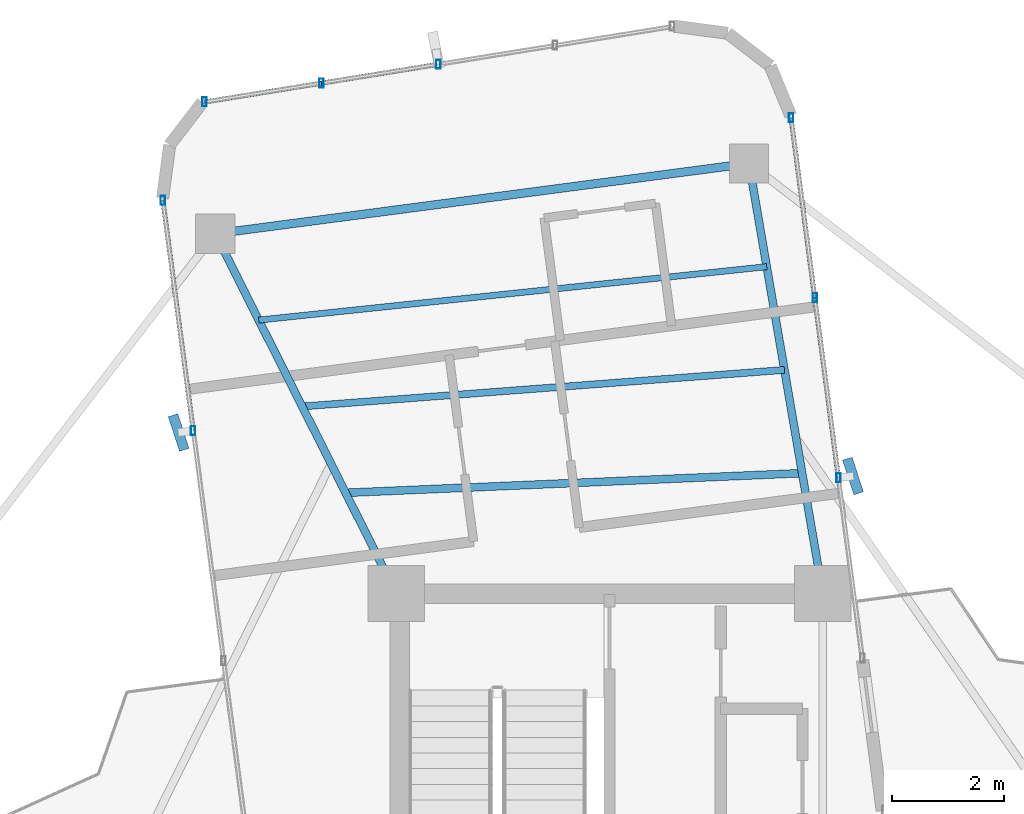
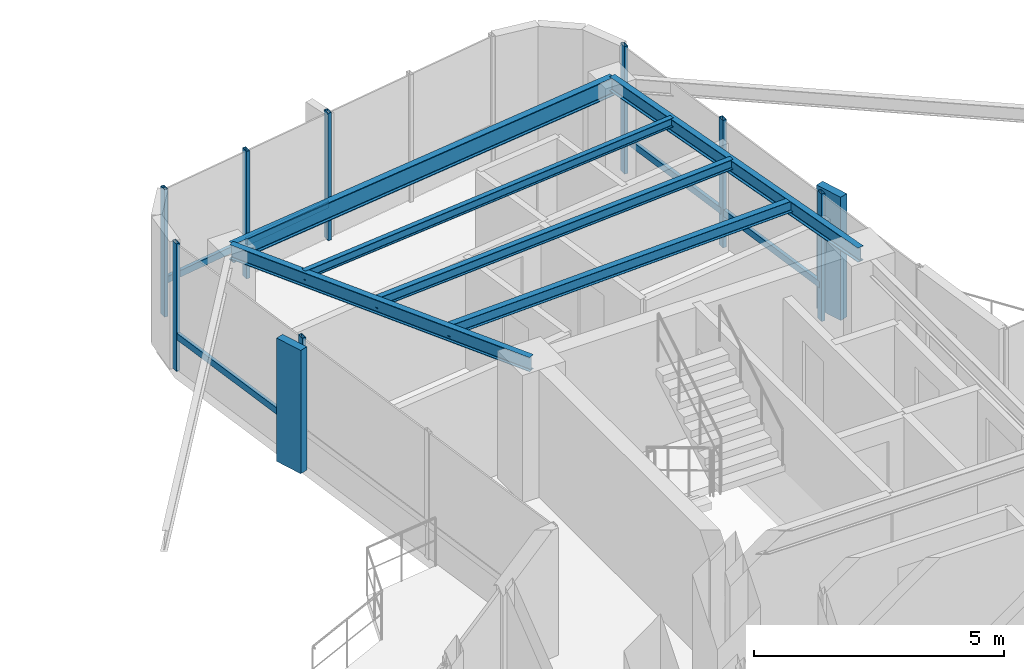
# One storey, part 13 of 21: 15 members, 6 beams, 3 elements without a shape of their own.
"""IFC4 building model written with IfcOpenShell, lengths in metres."""

import ifcopenshell
import ifcopenshell.guid

model = None  # the IFC model being written
_history = None  # IfcOwnerHistory: only IFC2X3 demands one
_inside = {}  # id of a spatial element -> (the spatial element, [elements in it])
_under = {}  # id of a project, library or spatial element -> (it, [spatial elements below it])
_declared = {}  # id of a project -> (the project, [libraries it declares])
_typed = {}  # id of a type object -> (the type object, [elements of that type])
_made_of = {}  # id of a material, layer set ... -> (it, [elements and type objects made of it])


def new_model(schema):
    """Start an empty IFC model of exactly this schema.

    Asked for "IFC4X3", IfcOpenShell would pick the latest addendum, in which some entities
    have other attributes; the version numbers below select the first issue.
    IFC2X3 requires an IfcOwnerHistory on every rooted entity: one is made here for all.
    """
    global model, _history
    if schema == "IFC4X3":
        model = ifcopenshell.file(schema_version=(4, 3, 0, 0))
    else:
        model = ifcopenshell.file(schema=schema)
    _inside.clear()
    _under.clear()
    _declared.clear()
    _typed.clear()
    _made_of.clear()
    _history = None
    if model.schema == "IFC2X3":
        org = make("IfcOrganization", Name="unknown")
        user = make(
            "IfcPersonAndOrganization",
            ThePerson=make("IfcPerson", FamilyName="unknown"),
            TheOrganization=org,
        )
        app = make(
            "IfcApplication",
            ApplicationDeveloper=org,
            Version="unknown",
            ApplicationFullName="unknown",
            ApplicationIdentifier="unknown",
        )
        _history = make(
            "IfcOwnerHistory",
            OwningUser=user,
            OwningApplication=app,
            ChangeAction="ADDED",
            CreationDate=0,
        )
    return model


def make(cls, **values):
    """One entity of the class cls with the attributes given. An attribute that is None is left unset."""
    return model.create_entity(
        cls, **{name: value for name, value in values.items() if value is not None}
    )


def rooted(cls, **values):
    """An entity with a GlobalId (a new one), such as an element, a storey or a relation."""
    return make(cls, GlobalId=ifcopenshell.guid.new(), OwnerHistory=_history, **values)


def si_unit(unit_type, name, prefix=None):
    """IfcSIUnit, for example si_unit("LENGTHUNIT", "METRE", prefix="MILLI")."""
    return make("IfcSIUnit", UnitType=unit_type, Prefix=prefix, Name=name)


def assignment(units):
    """IfcUnitAssignment: the units of a project."""
    return None if units is None else make("IfcUnitAssignment", Units=units)


def point(xyz):
    """IfcCartesianPoint."""
    return None if xyz is None else make("IfcCartesianPoint", Coordinates=xyz)


def direction(xyz):
    """IfcDirection."""
    return None if xyz is None else make("IfcDirection", DirectionRatios=xyz)


def frame(location, z_axis=None, x_axis=None):
    """IfcAxis2Placement3D, a coordinate frame: its origin and axes. An axis left out is left unset."""
    return make(
        "IfcAxis2Placement3D",
        Location=point(location),
        Axis=direction(z_axis),
        RefDirection=direction(x_axis),
    )


def frame_2d(location, x_axis=None):
    """IfcAxis2Placement2D, a coordinate frame in the plane: its origin and x axis."""
    return make(
        "IfcAxis2Placement2D", Location=point(location), RefDirection=direction(x_axis)
    )


def origin():
    """The frame at (0, 0, 0) with its axes left unset."""
    return frame((0.0, 0.0, 0.0))


def origin_2d():
    """The frame at (0, 0) in the plane with its x axis left unset."""
    return frame_2d((0.0, 0.0))


def place(relative_to, where):
    """IfcLocalPlacement: puts the frame where relative to a parent placement (None: the world)."""
    return make(
        "IfcLocalPlacement", PlacementRelTo=relative_to, RelativePlacement=where
    )


def context(
    kind, dimensions, precision=None, world=None, true_north=None, identifier=None
):
    """IfcGeometricRepresentationContext, for example the 3D "Model" context."""
    return make(
        "IfcGeometricRepresentationContext",
        ContextIdentifier=identifier,
        ContextType=kind,
        CoordinateSpaceDimension=dimensions,
        Precision=precision,
        WorldCoordinateSystem=world,
        TrueNorth=true_north,
    )


def subcontext(parent, identifier, kind, view, scale=None):
    """IfcGeometricRepresentationSubContext, for example "Body" below "Model"."""
    return make(
        "IfcGeometricRepresentationSubContext",
        ContextIdentifier=identifier,
        ContextType=kind,
        ParentContext=parent,
        TargetScale=scale,
        TargetView=view,
    )


def project(units=None, contexts=None):
    """IfcProject with its units and contexts."""
    return rooted(
        "IfcProject",
        Name="project",
        RepresentationContexts=contexts,
        UnitsInContext=assignment(units),
    )


def spatial(cls, under=None, at=None, **own):
    """A site, building, storey or space (cls), placed at a placement, below another one or the project."""
    s = rooted(cls, ObjectPlacement=at, **own)
    if under is not None:
        _under.setdefault(under.id(), (under, []))[1].append(s)
    return s


def profile(cls, at=None, kind="AREA", **sizes):
    """A parametric profile (cls). Its sizes go by their IFC names, for example OverallWidth=200.0."""
    return make(cls, ProfileType=kind, Position=at, **sizes)


def rectangle(**sizes):
    """IfcRectangleProfileDef."""
    return profile("IfcRectangleProfileDef", **sizes)


def hollow_rectangle(**sizes):
    """IfcRectangleHollowProfileDef."""
    return profile("IfcRectangleHollowProfileDef", **sizes)


def i_section(**sizes):
    """IfcIShapeProfileDef."""
    return profile("IfcIShapeProfileDef", **sizes)


def extrude(swept, where, along, depth):
    """IfcExtrudedAreaSolid: the profile swept, set in the frame where, extruded along a direction by depth."""
    return make(
        "IfcExtrudedAreaSolid",
        SweptArea=swept,
        Position=where,
        ExtrudedDirection=direction(along),
        Depth=depth,
    )


def shape(context_of_items, identifier, shape_type, items):
    """IfcShapeRepresentation: the items that make up one representation, for example the "Body"."""
    return make(
        "IfcShapeRepresentation",
        ContextOfItems=context_of_items,
        RepresentationIdentifier=identifier,
        RepresentationType=shape_type,
        Items=items,
    )


def source(mapping_origin, context_of_items, identifier, shape_type, items):
    """IfcRepresentationMap: a shape defined once, which mapped items show again and again."""
    return make(
        "IfcRepresentationMap",
        MappingOrigin=mapping_origin,
        MappedRepresentation=shape(context_of_items, identifier, shape_type, items),
    )


def transform(
    local_origin,
    x_axis=None,
    y_axis=None,
    z_axis=None,
    scale=None,
    scale2=None,
    scale3=None,
    uniform=True,
):
    """IfcCartesianTransformationOperator3D, or its non-uniform kind. x_axis, y_axis, z_axis: its Axis1, 2, 3."""
    if uniform:
        return make(
            "IfcCartesianTransformationOperator3D",
            Axis1=direction(x_axis),
            Axis2=direction(y_axis),
            LocalOrigin=point(local_origin),
            Scale=scale,
            Axis3=direction(z_axis),
        )
    return make(
        "IfcCartesianTransformationOperator3DnonUniform",
        Axis1=direction(x_axis),
        Axis2=direction(y_axis),
        LocalOrigin=point(local_origin),
        Scale=scale,
        Axis3=direction(z_axis),
        Scale2=scale2,
        Scale3=scale3,
    )


def mapped(mapping_source, mapping_target):
    """IfcMappedItem: shows the shape of a source again, moved by a transform."""
    return make(
        "IfcMappedItem", MappingSource=mapping_source, MappingTarget=mapping_target
    )


def material(Name=None, Category=None):
    """IfcMaterial."""
    return make("IfcMaterial", Name=Name, Category=Category)


def material_profile(
    of_material, cross_section, Name=None, Category=None, Priority=None
):
    """IfcMaterialProfile: a cross section and its material."""
    return make(
        "IfcMaterialProfile",
        Name=Name,
        Material=of_material,
        Profile=cross_section,
        Priority=Priority,
        Category=Category,
    )


def profile_set(profiles, Name=None, composite=None):
    """IfcMaterialProfileSet."""
    return make(
        "IfcMaterialProfileSet",
        Name=Name,
        MaterialProfiles=profiles,
        CompositeProfile=composite,
    )


def made_of(thing, what):
    """Note that an element or type object is made of a material, layer set ...; save() writes the relation."""
    if what is not None:
        _made_of.setdefault(what.id(), (what, []))[1].append(thing)
    return thing


def type_object(cls, material=None, **own):
    """A type object (cls), such as IfcWallType, which elements share."""
    return made_of(rooted(cls, **own), material)


def element(
    cls,
    number,
    at=None,
    inside=None,
    cuts=None,
    type_object=None,
    material=None,
    context=None,
    identifier="Body",
    shape_type=None,
    held_by="IfcProductDefinitionShape",
    body=None,
    shapes=None,
    **own,
):
    """One element of the class cls, such as IfcWall. Its Tag is "e" and its number.

    at: its placement. inside: the storey or other place that contains it. cuts: it is an
    opening in that element (IfcRelVoidsElement). A single representation is given by context,
    identifier, shape_type and body (its items); several are given by shapes. held_by: the class
    of the entity that holds the representations. save() writes the other relations.
    """
    e = rooted(cls, Tag="e%d" % number, ObjectPlacement=at, **own)
    if body is not None:
        shapes = [shape(context, identifier, shape_type, body)]
    if shapes is not None:
        e.Representation = make(held_by, Representations=shapes)
    if inside is not None:
        _inside.setdefault(inside.id(), (inside, []))[1].append(e)
    if cuts is not None:
        rooted(
            "IfcRelVoidsElement", RelatingBuildingElement=cuts, RelatedOpeningElement=e
        )
    if type_object is not None:
        _typed.setdefault(type_object.id(), (type_object, []))[1].append(e)
    return made_of(e, material)


def aggregate(whole, parts):
    """IfcRelAggregates: a whole, such as a stair, and the parts it consists of."""
    return rooted("IfcRelAggregates", RelatingObject=whole, RelatedObjects=parts)


def save(model, path):
    """Write the relations noted so far, then the file.

    IfcRelAggregates (storeys below a building ...), IfcRelContainedInSpatialStructure (elements
    in a storey), IfcRelDefinesByType, IfcRelAssociatesMaterial and IfcRelDeclares: one each for
    every whole, place, type object, material and project.
    """
    for whole, parts in _under.values():
        aggregate(whole, parts)
    for where, things in _inside.values():
        rooted(
            "IfcRelContainedInSpatialStructure",
            RelatedElements=things,
            RelatingStructure=where,
        )
    for kind, things in _typed.values():
        rooted("IfcRelDefinesByType", RelatedObjects=things, RelatingType=kind)
    for what, things in _made_of.values():
        rooted("IfcRelAssociatesMaterial", RelatedObjects=things, RelatingMaterial=what)
    for by, libraries in _declared.values():
        rooted("IfcRelDeclares", RelatingContext=by, RelatedDefinitions=libraries)
    model.write(path)


model = new_model("IFC4")

# Units and contexts
model_context = context("Model", 3, precision=1e-05, world=origin(), true_north=direction((0.0, 1.0)))
body_context = subcontext(model_context, "Body", "Model", "MODEL_VIEW")
ifc_project = project(units=[si_unit("LENGTHUNIT", "METRE"), si_unit("AREAUNIT", "SQUARE_METRE"), si_unit("VOLUMEUNIT", "CUBIC_METRE"), si_unit("PLANEANGLEUNIT", "RADIAN"), si_unit("MASSUNIT", "GRAM", prefix="KILO")], contexts=[model_context])

# Site, building, storey
site_placement = place(None, origin())
site = spatial("IfcSite", under=ifc_project, at=site_placement, CompositionType="ELEMENT")
building_placement = place(site_placement, origin())
building = spatial("IfcBuilding", under=site, at=building_placement, Name="Sahyath Konkavel Grand Hotel", CompositionType="ELEMENT")
storey_placement = place(building_placement, frame((0.0, 0.0, 219.89990234375)))
storey = spatial("IfcBuildingStorey", under=building, at=storey_placement, Name="L61", CompositionType="ELEMENT", Elevation=219.89990234375)

# Beams
ifc_material_1 = material(Name="Steel E350", Category="steel")
ifc_material_profile_1 = material_profile(ifc_material_1, i_section(OverallWidth=0.139892578125, OverallDepth=0.35009765625, WebThickness=0.008056640625, FlangeThickness=0.01416015625, FilletRadius=0.013916015625, at=origin_2d()), Name="ISMB 350")
ifc_profile_set_1 = profile_set([ifc_material_profile_1], Name="Steel E350")
beam_type_1 = type_object("IfcBeamType", Name="BM-ISMB350", PredefinedType="BEAM", material=ifc_profile_set_1)
shared_shape_1 = source(origin(), body_context, "Body", "SweptSolid", [
    extrude(i_section(OverallWidth=0.139892578125, OverallDepth=0.35009765625, WebThickness=0.008056640625, FlangeThickness=0.01416015625, FilletRadius=0.013916015625, at=origin_2d()), origin(), (0.0, 0.0, 1.0), 7.776123046875),
])
beam_1_placement = place(storey_placement, frame((3.800048828125, 10.199951171875, 2.93505859375), z_axis=(-0.169035270731, 0.985610002612, 0.0), x_axis=(-0.985610002612, -0.169035270731, 0.0)))
element("IfcBeam", 1, at=beam_1_placement, inside=storey, type_object=beam_type_1, Name="L61 Cruciform Radial Girder NA", PredefinedType="BEAM", context=body_context, shape_type="MappedRepresentation", body=[
    mapped(shared_shape_1, transform((0.0, 0.0, 0.0), scale=1.0)),
])
shared_shape_2 = source(origin(), body_context, "Body", "SweptSolid", [
    extrude(i_section(OverallWidth=0.139892578125, OverallDepth=0.35009765625, WebThickness=0.008056640625, FlangeThickness=0.01416015625, FilletRadius=0.013916015625, at=origin_2d()), origin(), (0.0, 0.0, 1.0), 7.177490234375),
])
beam_2_placement = place(storey_placement, frame((-3.800048828125, 10.199951171875, 2.93505859375), z_axis=(-0.449239757203, 0.893411238203, 0.0), x_axis=(-0.893411238203, -0.449239757203, 0.0)))
element("IfcBeam", 2, at=beam_2_placement, inside=storey, type_object=beam_type_1, Name="L61 Cruciform Radial Girder NB", PredefinedType="BEAM", context=body_context, shape_type="MappedRepresentation", body=[
    mapped(shared_shape_2, transform((0.0, 0.0, 0.0), scale=1.0)),
])
ifc_material_profile_2 = material_profile(ifc_material_1, i_section(OverallWidth=0.14990234375, OverallDepth=0.449951171875, WebThickness=0.009521484375, FlangeThickness=0.017333984375, FilletRadius=0.014892578125, at=origin_2d()), Name="ISMB 450")
ifc_profile_set_2 = profile_set([ifc_material_profile_2], Name="Steel E350")
beam_type_2 = type_object("IfcBeamType", Name="BM-ISMB450", PredefinedType="BEAM", material=ifc_profile_set_2)
shared_shape_3 = source(origin(), body_context, "Body", "SweptSolid", [
    extrude(i_section(OverallWidth=0.14990234375, OverallDepth=0.449951171875, WebThickness=0.009521484375, FlangeThickness=0.017333984375, FilletRadius=0.014892578125, at=origin_2d()), origin(), (0.0, 0.0, 1.0), 9.592041015625),
])
beam_3_placement = place(storey_placement, frame((2.485595703125, 17.8642578125, 2.885009765625), z_axis=(-0.991445716873, -0.130519693891, 0.0), x_axis=(0.130519693891, -0.991445716873, 0.0)))
element("IfcBeam", 3, at=beam_3_placement, inside=storey, type_object=beam_type_2, Name="L61 Wing Tip Edge Beam N", PredefinedType="BEAM", context=body_context, shape_type="MappedRepresentation", body=[
    mapped(shared_shape_3, transform((0.0, 0.0, 0.0), scale=1.0)),
])
ifc_material_profile_3 = material_profile(ifc_material_1, i_section(OverallWidth=0.139892578125, OverallDepth=0.27490234375, WebThickness=0.00634765625, FlangeThickness=0.0087890625, FilletRadius=0.012939453125, at=origin_2d()), Name="ISLB 275")
ifc_profile_set_3 = profile_set([ifc_material_profile_3], Name="Steel E350")
beam_type_3 = type_object("IfcBeamType", Name="BM-ISLB275", PredefinedType="BEAM", material=ifc_profile_set_3)
shared_shape_4 = source(origin(), body_context, "Body", "SweptSolid", [
    extrude(i_section(OverallWidth=0.139892578125, OverallDepth=0.27490234375, WebThickness=0.00634765625, FlangeThickness=0.0087890625, FilletRadius=0.012939453125, at=origin_2d()), origin(), (0.0, 0.0, 1.0), 8.142333984375),
])
beam_4_placement = place(storey_placement, frame((3.431884765625, 12.345947265625, 2.97265625), z_axis=(-0.999072605687, -0.043057270761, 0.0), x_axis=(0.043057270761, -0.999072605687, 0.0)))
element("IfcBeam", 4, at=beam_4_placement, inside=storey, type_object=beam_type_3, Name="L61 Secondary Floor Beam N-1", PredefinedType="BEAM", context=body_context, shape_type="MappedRepresentation", body=[
    mapped(shared_shape_4, transform((0.0, 0.0, 0.0), scale=1.0)),
])
ifc_material_profile_4 = material_profile(ifc_material_1, i_section(OverallWidth=0.125, OverallDepth=0.25, WebThickness=0.0068359375, FlangeThickness=0.012451171875, FilletRadius=0.012939453125, at=origin_2d()), Name="ISMB 250")
ifc_profile_set_4 = profile_set([ifc_material_profile_4], Name="Steel E350")
beam_type_4 = type_object("IfcBeamType", Name="BM-ISMB250", PredefinedType="BEAM", material=ifc_profile_set_4)
shared_shape_5 = source(origin(), body_context, "Body", "SweptSolid", [
    extrude(i_section(OverallWidth=0.125, OverallDepth=0.25, WebThickness=0.0068359375, FlangeThickness=0.012451171875, FilletRadius=0.012939453125, at=origin_2d()), origin(), (0.0, 0.0, 1.0), 8.617919921875),
])
beam_5_placement = place(storey_placement, frame((3.116455078125, 14.185302734375, 2.985107421875), z_axis=(-0.997141653303, -0.075554769855, 0.0), x_axis=(0.075554769855, -0.997141653303, 0.0)))
element("IfcBeam", 5, at=beam_5_placement, inside=storey, type_object=beam_type_4, Name="L61 Secondary Floor Beam N-2", PredefinedType="BEAM", context=body_context, shape_type="MappedRepresentation", body=[
    mapped(shared_shape_5, transform((0.0, 0.0, 0.0), scale=1.0)),
])
ifc_material_profile_5 = material_profile(ifc_material_1, i_section(OverallWidth=0.110107421875, OverallDepth=0.22509765625, WebThickness=0.006591796875, FlangeThickness=0.01171875, FilletRadius=0.011962890625, at=origin_2d()), Name="ISMB 225")
ifc_profile_set_5 = profile_set([ifc_material_profile_5], Name="Steel E350")
beam_type_5 = type_object("IfcBeamType", Name="BM-ISMB225", PredefinedType="BEAM", material=ifc_profile_set_5)
shared_shape_6 = source(origin(), body_context, "Body", "SweptSolid", [
    extrude(i_section(OverallWidth=0.110107421875, OverallDepth=0.22509765625, WebThickness=0.006591796875, FlangeThickness=0.01171875, FilletRadius=0.011962890625, at=origin_2d()), origin(), (0.0, 0.0, 1.0), 9.101318359375),
])
beam_6_placement = place(storey_placement, frame((2.801025390625, 16.02490234375, 2.99755859375), z_axis=(-0.994518379884, -0.104561905456, 0.0), x_axis=(0.104561905456, -0.994518379884, 0.0)))
element("IfcBeam", 6, at=beam_6_placement, inside=storey, type_object=beam_type_5, Name="L61 Secondary Floor Beam N-3", PredefinedType="BEAM", context=body_context, shape_type="MappedRepresentation", body=[
    mapped(shared_shape_6, transform((0.0, 0.0, 0.0), scale=1.0)),
])

# Curtain wall, member
ifc_material_2 = material(Name="Anodised Bronze Aluminium & Low-E Glazing", Category="aluminium")
curtain_wall_type = type_object("IfcCurtainWallType", Name="CW-ZONE4", PredefinedType="NOTDEFINED", material=ifc_material_2)
curtain_wall_1_placement = place(storey_placement, origin())
curtain_wall_1 = element("IfcCurtainWall", 7, at=curtain_wall_1_placement, inside=storey, type_object=curtain_wall_type, Name="L61 Unitised Curtain Wall F8", PredefinedType="NOTDEFINED")
ifc_material_3 = material(Name="Warm Buff Sandstone Cladding on Concrete C50/60", Category="masonry")
ifc_material_profile_6 = material_profile(ifc_material_3, rectangle(XDim=0.179931640625, YDim=0.64990234375, at=origin_2d()), Name="FIN 180x650")
ifc_profile_set_6 = profile_set([ifc_material_profile_6], Name="Warm Buff Sandstone Cladding on Concrete C50/60")
member_type_1 = type_object("IfcMemberType", Name="FIN-SANDSTONE-650", PredefinedType="MULLION", material=ifc_profile_set_6)
shared_shape_7 = source(origin(), body_context, "Body", "SweptSolid", [
    extrude(rectangle(XDim=0.179931640625, YDim=0.64990234375, at=origin_2d()), origin(), (0.0, 0.0, 1.0), 3.010009765625),
])
member_1_placement = place(storey_placement, frame((4.33837890625, 12.29443359375, 0.050048828125), z_axis=(0.0, 0.0, 1.0), x_axis=(0.951487058208, 0.307688768178, 0.0)))
member_1 = element("IfcMember", 8, at=member_1_placement, type_object=member_type_1, Name="L61 Sandstone Vertical Solar Fin FIN F8-1", PredefinedType="MULLION", context=body_context, shape_type="MappedRepresentation", body=[
    mapped(shared_shape_7, transform((0.0, 0.0, 0.0), scale=1.0)),
])

curtain_wall_2_placement = place(storey_placement, origin())
curtain_wall_2 = element("IfcCurtainWall", 9, at=curtain_wall_2_placement, inside=storey, type_object=curtain_wall_type, Name="L61 Unitised Curtain Wall F15", PredefinedType="NOTDEFINED")
member_2_placement = place(storey_placement, frame((-7.677734375, 13.069580078125, 0.050048828125), z_axis=(0.0, 0.0, 1.0), x_axis=(0.951487058208, 0.307688768178, 0.0)))
member_2 = element("IfcMember", 10, at=member_2_placement, type_object=member_type_1, Name="L61 Sandstone Vertical Solar Fin FIN F15-1", PredefinedType="MULLION", context=body_context, shape_type="MappedRepresentation", body=[
    mapped(shared_shape_7, transform((0.0, 0.0, 0.0), scale=1.0)),
])

# Member
ifc_material_4 = material(Name="Anodised Bronze Aluminium", Category="aluminium")
ifc_material_profile_7 = material_profile(ifc_material_4, hollow_rectangle(XDim=0.080078125, YDim=0.159912109375, WallThickness=0.006103515625, at=origin_2d()), Name="RHS 160x80x6")
ifc_profile_set_7 = profile_set([ifc_material_profile_7], Name="Anodised Bronze Aluminium")
member_type_2 = type_object("IfcMemberType", Name="CW-MUL-160", PredefinedType="MULLION", material=ifc_profile_set_7)
shared_shape_8 = source(origin(), body_context, "Body", "SweptSolid", [
    extrude(hollow_rectangle(XDim=0.080078125, YDim=0.159912109375, WallThickness=0.006103515625, at=origin_2d()), origin(), (0.0, 0.0, 1.0), 3.110107421875),
])
member_3_placement = place(storey_placement, frame((4.08056640625, 12.260498046875, 0.0), z_axis=(0.0, 0.0, 1.0), x_axis=(1.0, 0.0, 0.0)))
member_3 = element("IfcMember", 11, at=member_3_placement, type_object=member_type_2, Name="L61 Curtain Wall Mullion F8-1", PredefinedType="MULLION", context=body_context, shape_type="MappedRepresentation", body=[
    mapped(shared_shape_8, transform((0.0, 0.0, 0.0), scale=1.0)),
])

member_4_placement = place(storey_placement, frame((3.657958984375, 15.4697265625, 0.0), z_axis=(0.0, 0.0, 1.0), x_axis=(1.0, 0.0, 0.0)))
member_4 = element("IfcMember", 12, at=member_4_placement, type_object=member_type_2, Name="L61 Curtain Wall Mullion F8-2", PredefinedType="MULLION", context=body_context, shape_type="MappedRepresentation", body=[
    mapped(shared_shape_8, transform((0.0, 0.0, 0.0), scale=1.0)),
])

member_5_placement = place(storey_placement, frame((3.235595703125, 18.67919921875, 0.0), z_axis=(0.0, 0.0, 1.0), x_axis=(1.0, 0.0, 0.0)))
member_5 = element("IfcMember", 13, at=member_5_placement, type_object=member_type_2, Name="L61 Curtain Wall Mullion F8-3", PredefinedType="MULLION", context=body_context, shape_type="MappedRepresentation", body=[
    mapped(shared_shape_8, transform((0.0, 0.0, 0.0), scale=1.0)),
])

# Curtain wall, members
curtain_wall_3_placement = place(storey_placement, origin())
curtain_wall_3 = element("IfcCurtainWall", 14, at=curtain_wall_3_placement, inside=storey, type_object=curtain_wall_type, Name="L61 Unitised Curtain Wall F12", PredefinedType="NOTDEFINED")
member_6_placement = place(storey_placement, frame((-3.05126953125, 19.6328125, 0.0), z_axis=(0.0, 0.0, 1.0), x_axis=(1.0, 0.0, 0.0)))
member_6 = element("IfcMember", 15, at=member_6_placement, type_object=member_type_2, Name="L61 Curtain Wall Mullion F12-2", PredefinedType="MULLION", context=body_context, shape_type="MappedRepresentation", body=[
    mapped(shared_shape_8, transform((0.0, 0.0, 0.0), scale=1.0)),
])
member_7_placement = place(storey_placement, frame((-5.134521484375, 19.296630859375, 0.0), z_axis=(0.0, 0.0, 1.0), x_axis=(1.0, 0.0, 0.0)))
member_7 = element("IfcMember", 16, at=member_7_placement, type_object=member_type_2, Name="L61 Curtain Wall Mullion F12-3", PredefinedType="MULLION", context=body_context, shape_type="MappedRepresentation", body=[
    mapped(shared_shape_8, transform((0.0, 0.0, 0.0), scale=1.0)),
])
member_8_placement = place(storey_placement, frame((-7.217529296875, 18.96044921875, 0.0), z_axis=(0.0, 0.0, 1.0), x_axis=(1.0, 0.0, 0.0)))
member_8 = element("IfcMember", 17, at=member_8_placement, type_object=member_type_2, Name="L61 Curtain Wall Mullion F12-4", PredefinedType="MULLION", context=body_context, shape_type="MappedRepresentation", body=[
    mapped(shared_shape_8, transform((0.0, 0.0, 0.0), scale=1.0)),
])

# Member
member_9_placement = place(storey_placement, frame((-7.9599609375, 17.205078125, 0.0), z_axis=(0.0, 0.0, 1.0), x_axis=(1.0, 0.0, 0.0)))
member_9 = element("IfcMember", 18, at=member_9_placement, type_object=member_type_2, Name="L61 Curtain Wall Mullion F15-0", PredefinedType="MULLION", context=body_context, shape_type="MappedRepresentation", body=[
    mapped(shared_shape_8, transform((0.0, 0.0, 0.0), scale=1.0)),
])

member_10_placement = place(storey_placement, frame((-7.419921875, 13.103515625, 0.0), z_axis=(0.0, 0.0, 1.0), x_axis=(1.0, 0.0, 0.0)))
member_10 = element("IfcMember", 19, at=member_10_placement, type_object=member_type_2, Name="L61 Curtain Wall Mullion F15-1", PredefinedType="MULLION", context=body_context, shape_type="MappedRepresentation", body=[
    mapped(shared_shape_8, transform((0.0, 0.0, 0.0), scale=1.0)),
])

ifc_material_profile_8 = material_profile(ifc_material_4, hollow_rectangle(XDim=0.080078125, YDim=0.159912109375, WallThickness=0.006103515625, at=origin_2d()), Name="RHS 160x80x6")
ifc_profile_set_8 = profile_set([ifc_material_profile_8], Name="Anodised Bronze Aluminium")
member_type_3 = type_object("IfcMemberType", Name="CW-TRN-160", PredefinedType="USERDEFINED", material=ifc_profile_set_8)
shared_shape_9 = source(origin(), body_context, "Body", "SweptSolid", [
    extrude(hollow_rectangle(XDim=0.080078125, YDim=0.159912109375, WallThickness=0.006103515625, at=origin_2d()), origin(), (0.0, 0.0, 1.0), 3.23681640625),
])
member_11_placement = place(storey_placement, frame((4.08056640625, 12.260498046875, 0.85009765625), z_axis=(-0.130557917404, 0.991440684158, 0.0), x_axis=(-0.991440684158, -0.130557917404, 0.0)))
member_11 = element("IfcMember", 20, at=member_11_placement, type_object=member_type_3, Name="L61 Curtain Wall Transom F8-1-spandrel", ObjectType="TRANSOM", PredefinedType="USERDEFINED", context=body_context, shape_type="MappedRepresentation", body=[
    mapped(shared_shape_9, transform((0.0, 0.0, 0.0), scale=1.0)),
])

shared_shape_10 = source(origin(), body_context, "Body", "SweptSolid", [
    extrude(hollow_rectangle(XDim=0.080078125, YDim=0.159912109375, WallThickness=0.006103515625, at=origin_2d()), origin(), (0.0, 0.0, 1.0), 3.237060546875),
])
member_12_placement = place(storey_placement, frame((3.657958984375, 15.4697265625, 0.85009765625), z_axis=(-0.130474021759, 0.991451728349, 0.0), x_axis=(-0.991451728349, -0.130474021759, 0.0)))
member_12 = element("IfcMember", 21, at=member_12_placement, type_object=member_type_3, Name="L61 Curtain Wall Transom F8-2-spandrel", ObjectType="TRANSOM", PredefinedType="USERDEFINED", context=body_context, shape_type="MappedRepresentation", body=[
    mapped(shared_shape_10, transform((0.0, 0.0, 0.0), scale=1.0)),
])

aggregate(curtain_wall_1, [member_3, member_1, member_4, member_5, member_11, member_12])

shared_shape_11 = source(origin(), body_context, "Body", "SweptSolid", [
    extrude(hollow_rectangle(XDim=0.080078125, YDim=0.159912109375, WallThickness=0.006103515625, at=origin_2d()), origin(), (0.0, 0.0, 1.0), 2.110107421875),
])
member_13_placement = place(storey_placement, frame((-3.05126953125, 19.6328125, 0.85009765625), z_axis=(-0.987228210283, -0.159312462857, 0.0), x_axis=(0.159312462857, -0.987228210283, 0.0)))
member_13 = element("IfcMember", 22, at=member_13_placement, type_object=member_type_3, Name="L61 Curtain Wall Transom F12-2-spandrel", ObjectType="TRANSOM", PredefinedType="USERDEFINED", context=body_context, shape_type="MappedRepresentation", body=[
    mapped(shared_shape_11, transform((0.0, 0.0, 0.0), scale=1.0)),
])

shared_shape_12 = source(origin(), body_context, "Body", "SweptSolid", [
    extrude(hollow_rectangle(XDim=0.080078125, YDim=0.159912109375, WallThickness=0.006103515625, at=origin_2d()), origin(), (0.0, 0.0, 1.0), 2.10986328125),
])
member_14_placement = place(storey_placement, frame((-5.134521484375, 19.296630859375, 0.85009765625), z_axis=(-0.987225273379, -0.15933066121, 0.0), x_axis=(0.15933066121, -0.987225273379, 0.0)))
member_14 = element("IfcMember", 23, at=member_14_placement, type_object=member_type_3, Name="L61 Curtain Wall Transom F12-3-spandrel", ObjectType="TRANSOM", PredefinedType="USERDEFINED", context=body_context, shape_type="MappedRepresentation", body=[
    mapped(shared_shape_12, transform((0.0, 0.0, 0.0), scale=1.0)),
])

aggregate(curtain_wall_3, [member_6, member_7, member_8, member_13, member_14])

shared_shape_13 = source(origin(), body_context, "Body", "SweptSolid", [
    extrude(hollow_rectangle(XDim=0.080078125, YDim=0.159912109375, WallThickness=0.006103515625, at=origin_2d()), origin(), (0.0, 0.0, 1.0), 4.136962890625),
])
member_15_placement = place(storey_placement, frame((-7.9599609375, 17.205078125, 0.85009765625), z_axis=(0.130540000708, -0.991443043354, 0.0), x_axis=(0.991443043354, 0.130540000708, 0.0)))
member_15 = element("IfcMember", 24, at=member_15_placement, type_object=member_type_3, Name="L61 Curtain Wall Transom F15-0-spandrel", ObjectType="TRANSOM", PredefinedType="USERDEFINED", context=body_context, shape_type="MappedRepresentation", body=[
    mapped(shared_shape_13, transform((0.0, 0.0, 0.0), scale=1.0)),
])

aggregate(curtain_wall_2, [member_9, member_10, member_2, member_15])

save(model, "model.ifc")
